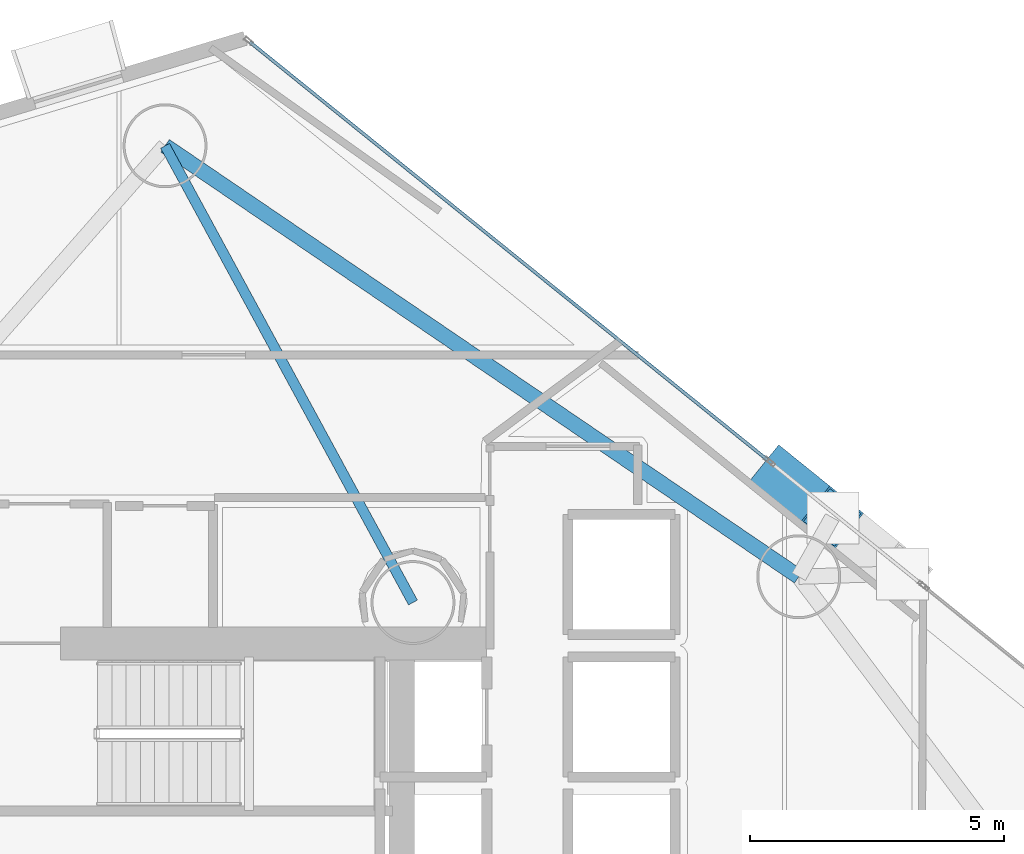
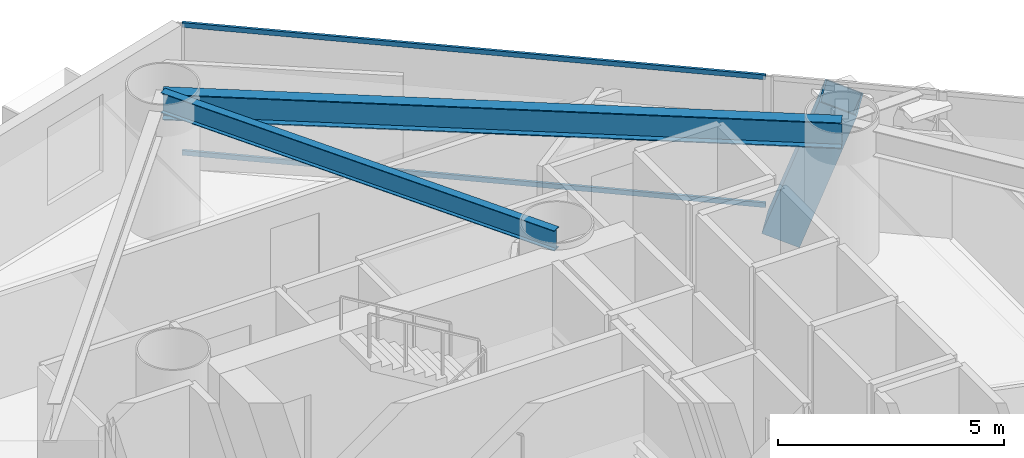
# One storey, part 10 of 23: 3 members, 2 beams, 1 element without a shape of its own.
"""IFC4 building model written with IfcOpenShell, lengths in metres."""

from ifc_helpers import new_model, si_unit, direction, frame, origin, origin_2d, place, context, subcontext, project, spatial, hollow_rectangle, i_section, extrude, material, layer, layer_set, material_profile, profile_set, type_object, element, aggregate, save


model = new_model("IFC4")

# Units and contexts
model_context = context("Model", 3, precision=1e-05, world=origin(), true_north=direction((0.0, 1.0)))
body_context = subcontext(model_context, "Body", "Model", "MODEL_VIEW")
ifc_project = project(units=[si_unit("LENGTHUNIT", "METRE"), si_unit("AREAUNIT", "SQUARE_METRE"), si_unit("VOLUMEUNIT", "CUBIC_METRE"), si_unit("PLANEANGLEUNIT", "RADIAN"), si_unit("MASSUNIT", "GRAM", prefix="KILO")], contexts=[model_context])

# Site, building, storey
site_placement = place(None, origin())
site = spatial("IfcSite", under=ifc_project, at=site_placement, CompositionType="ELEMENT")
building_placement = place(site_placement, origin())
building = spatial("IfcBuilding", under=site, at=building_placement, Name="Qianvela Tower", CompositionType="ELEMENT")
storey_placement = place(building_placement, frame((0.0, 0.0, 82.10009765625)))
storey = spatial("IfcBuildingStorey", under=building, at=storey_placement, Name="L20", CompositionType="ELEMENT", Elevation=82.10009765625)

# Beams
ifc_material_1 = material(Name="Steel Q355B", Category="steel")
ifc_material_profile_1 = material_profile(ifc_material_1, i_section(OverallWidth=0.199951171875, OverallDepth=0.550048828125, WebThickness=0.010009765625, FlangeThickness=0.01611328125, at=origin_2d()), Name="HN550x200x10x16")
ifc_profile_set_1 = profile_set([ifc_material_profile_1], Name="Steel Q355B")
beam_type_1 = type_object("IfcBeamType", Name="BM-HN550-GIRD", PredefinedType="BEAM", material=ifc_profile_set_1)
beam_1_placement = place(storey_placement, frame((38.39990234375, 33.550048828125, 3.242919921875), z_axis=(-0.477069714043, 0.878865454972, 0.0), x_axis=(-0.878865454972, -0.477069714043, 0.0)))
element("IfcBeam", 1, at=beam_1_placement, inside=storey, type_object=beam_type_1, Name="L20 Radial Primary Floor Girder 3", PredefinedType="BEAM", context=body_context, shape_type="SweptSolid", body=[
    extrude(i_section(OverallWidth=0.199951171875, OverallDepth=0.550048828125, WebThickness=0.010009765625, FlangeThickness=0.01611328125, at=origin_2d()), origin(), (0.0, 0.0, 1.0), 10.216552734375),
])
ifc_material_2 = material(Name="Steel Q355B", Category="steel")
ifc_material_profile_2 = material_profile(ifc_material_2, i_section(OverallWidth=0.300048828125, OverallDepth=0.699951171875, WebThickness=0.012939453125, FlangeThickness=0.02392578125, at=origin_2d()), Name="HN700x300x13x24")
ifc_profile_set_2 = profile_set([ifc_material_profile_2], Name="Steel Q355B")
beam_type_2 = type_object("IfcBeamType", Name="BM-HN700-SPAND", PredefinedType="SPANDREL", material=ifc_profile_set_2)
beam_2_placement = place(storey_placement, frame((45.98388671875, 34.056884765625, 3.16796875), z_axis=(-0.826904197504, 0.562342820839, 0.0), x_axis=(-0.562342820839, -0.826904197504, 0.0)))
element("IfcBeam", 2, at=beam_2_placement, inside=storey, type_object=beam_type_2, Name="L20 Perimeter Ring Spandrel Girder 2", PredefinedType="SPANDREL", context=body_context, shape_type="SweptSolid", body=[
    extrude(i_section(OverallWidth=0.300048828125, OverallDepth=0.699951171875, WebThickness=0.012939453125, FlangeThickness=0.02392578125, at=origin_2d()), origin(), (0.0, 0.0, 1.0), 15.06591796875),
])

# Curtain wall, members
ifc_material_3 = material(Name="Anodised Architectural Aluminium and Low-E Glass", Category="aluminium")
ifc_layer = layer(ifc_material_3, 0.179931640625)
ifc_layer_set = layer_set([ifc_layer], Name="Anodised Architectural Aluminium and Low-E Glass")
curtain_wall_type = type_object("IfcCurtainWallType", Name="CW-COLIV-Z12", PredefinedType="USERDEFINED", material=ifc_layer_set)
curtain_wall_placement = place(storey_placement, origin())
curtain_wall = element("IfcCurtainWall", 3, at=curtain_wall_placement, inside=storey, type_object=curtain_wall_type, Name="L20 CW-COLIV-Z12 Curtain Wall 02C", ObjectType="CURTAIN_WALL_SYSTEM", PredefinedType="USERDEFINED")
ifc_material_4 = material(Name="Anodised Architectural Aluminium 6063-T6", Category="aluminium")
ifc_material_profile_3 = material_profile(ifc_material_4, hollow_rectangle(XDim=0.06494140625, YDim=0.1298828125, WallThickness=0.00439453125, at=origin_2d()), Name="ALU-TRAN-65x130")
ifc_profile_set_3 = profile_set([ifc_material_profile_3], Name="Anodised Architectural Aluminium 6063-T6")
member_type_1 = type_object("IfcMemberType", Name="CW-COLIV-Z12-TRAN", PredefinedType="USERDEFINED", material=ifc_profile_set_3)
member_1_placement = place(storey_placement, frame((45.364013671875, 36.357177734375, 0.032470703125), z_axis=(-0.778096390135, 0.628144893841, 0.0), x_axis=(-0.628144893841, -0.778096390135, 0.0)))
member_1 = element("IfcMember", 4, at=member_1_placement, type_object=member_type_1, Name="CW-3 transom 1.1", ObjectType="TRANSOM", PredefinedType="USERDEFINED", context=body_context, shape_type="SweptSolid", body=[
    extrude(hollow_rectangle(XDim=0.06494140625, YDim=0.1298828125, WallThickness=0.00439453125, at=origin_2d()), origin(), (0.0, 0.0, 1.0), 13.069091796875),
])
member_2_placement = place(storey_placement, frame((45.364013671875, 36.357177734375, 3.4873046875), z_axis=(-0.778096390135, 0.628144893841, 0.0), x_axis=(-0.628144893841, -0.778096390135, 0.0)))
member_2 = element("IfcMember", 5, at=member_2_placement, type_object=member_type_1, Name="CW-3 transom 1.2", ObjectType="TRANSOM", PredefinedType="USERDEFINED", context=body_context, shape_type="SweptSolid", body=[
    extrude(hollow_rectangle(XDim=0.06494140625, YDim=0.1298828125, WallThickness=0.00439453125, at=origin_2d()), origin(), (0.0, 0.0, 1.0), 13.069091796875),
])
aggregate(curtain_wall, [member_1, member_2])

# Member
ifc_material_5 = material(Name="Steel Q420GJC", Category="steel")
ifc_material_profile_4 = material_profile(ifc_material_5, hollow_rectangle(XDim=0.89990234375, YDim=0.89990234375, WallThickness=0.035888671875, at=origin_2d()), Name="MBOX-900x900x36")
ifc_profile_set_4 = profile_set([ifc_material_profile_4], Name="Steel Q420GJC")
member_type_2 = type_object("IfcMemberType", Name="MBR-MBRACE-900", PredefinedType="BRACE", material=ifc_profile_set_4)
member_3_placement = place(storey_placement, frame((45.638427734375, 36.03271484375, -0.531982421875), z_axis=(0.256143233123, -0.206796251699, 0.94425947409), x_axis=(0.628174090644, 0.778072819114, 0.0)))
element("IfcMember", 6, at=member_3_placement, inside=storey, type_object=member_type_2, Name="L20 Tier 3 Exterior Mega-Brace F1B", PredefinedType="BRACE", context=body_context, shape_type="SweptSolid", body=[
    extrude(hollow_rectangle(XDim=0.89990234375, YDim=0.89990234375, WallThickness=0.035888671875, at=origin_2d()), origin(), (0.0, 0.0, 1.0), 3.91845703125),
])

save(model, "model.ifc")
